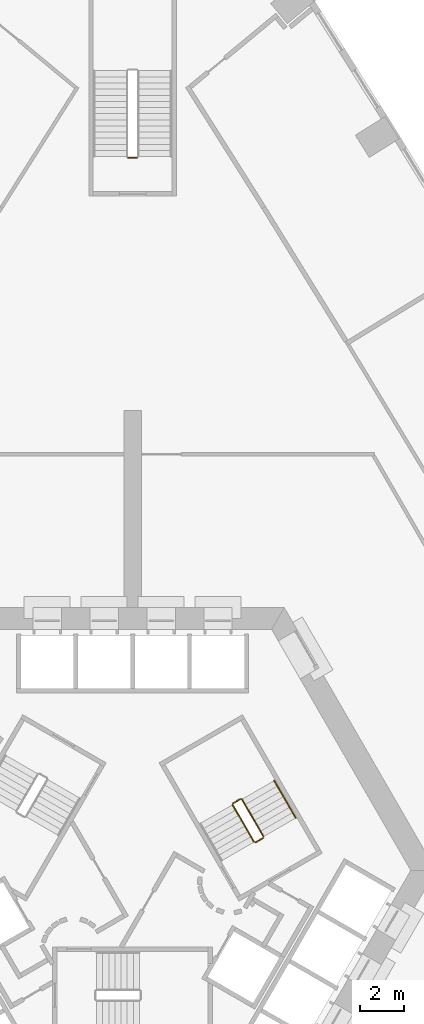
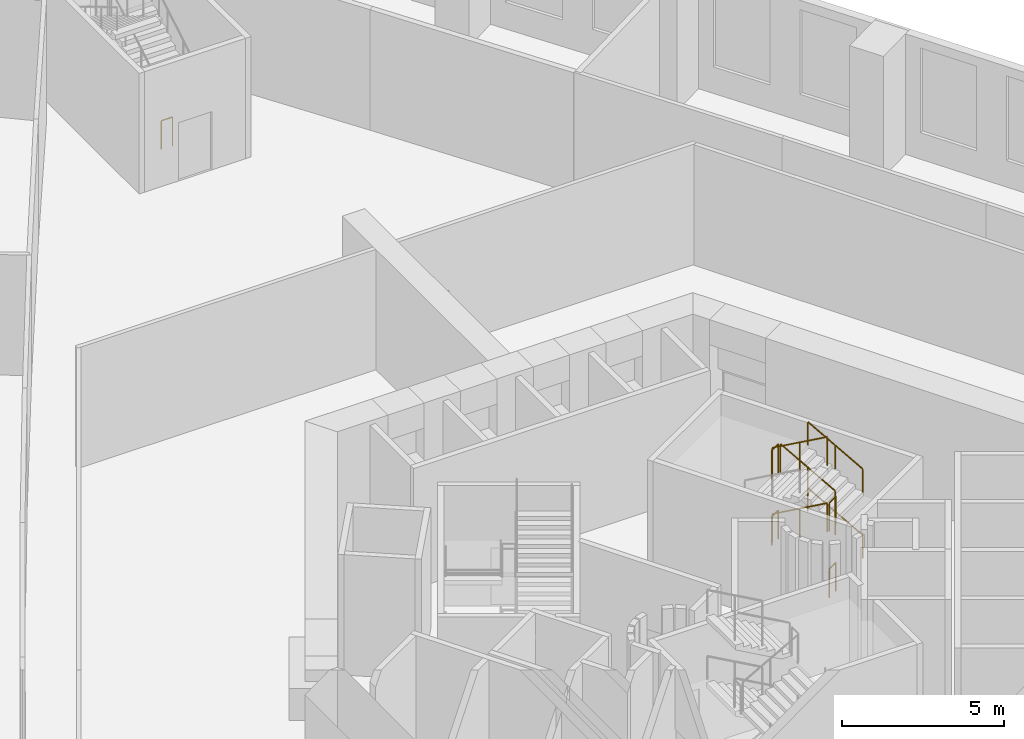
# One storey, part 14 of 16: 10 railings.
"""IFC4 building model written with IfcOpenShell, lengths in metres."""

from ifc_helpers import new_model, si_unit, direction, frame, origin, origin_2d, place, context, subcontext, project, spatial, circle, extrude, material, type_object, element, save


model = new_model("IFC4")

# Units and contexts
model_context = context("Model", 3, precision=1e-05, world=origin(), true_north=direction((0.0, 1.0)))
body_context = subcontext(model_context, "Body", "Model", "MODEL_VIEW")
ifc_project = project(units=[si_unit("LENGTHUNIT", "METRE"), si_unit("AREAUNIT", "SQUARE_METRE"), si_unit("VOLUMEUNIT", "CUBIC_METRE"), si_unit("PLANEANGLEUNIT", "RADIAN"), si_unit("MASSUNIT", "GRAM", prefix="KILO")], contexts=[model_context])

# Site, building, storey
site_placement = place(None, origin())
site = spatial("IfcSite", under=ifc_project, at=site_placement, CompositionType="ELEMENT")
building_placement = place(site_placement, origin())
building = spatial("IfcBuilding", under=site, at=building_placement, Name="Entoto Arch Interchange Tower", CompositionType="ELEMENT")
storey_placement = place(building_placement, frame((0.0, 0.0, 20.0)))
storey = spatial("IfcBuildingStorey", under=building, at=storey_placement, Name="L03", CompositionType="ELEMENT", Elevation=20.0)

# Railings
ifc_material = material(Name="Stainless steel 1.4301", Category="steel")
railing_type_1 = type_object("IfcRailingType", Name="STAIR GUARD 1100 STEEL", PredefinedType="GUARDRAIL", material=ifc_material)
railing_1_placement = place(storey_placement, frame((4.929443359375, 5.76171875, 1.25)))
element("IfcRailing", 1, at=railing_1_placement, inside=storey, type_object=railing_type_1, Name="L03 ST-NE stair guard 2", PredefinedType="GUARDRAIL", context=body_context, shape_type="SweptSolid", body=[
    extrude(circle(Radius=0.02392578125, at=origin_2d()), frame((0.0, 0.0, 1.076171875), z_axis=(-0.865941482684, -0.500145327446, 0.0), x_axis=(0.500145327446, -0.865941482684, 0.0)), (0.0, 0.0, 1.0), 0.39990234375),
    extrude(circle(Radius=0.02099609375, at=origin_2d()), origin(), (0.0, 0.0, 1.0), 1.052001953125),
    extrude(circle(Radius=0.02099609375, at=origin_2d()), frame((-0.34619140625, -0.199951171875, 0.0)), (0.0, 0.0, 1.0), 1.052001953125),
])
railing_2_placement = place(storey_placement, frame((4.56494140625, 5.493408203125, 1.40625)))
element("IfcRailing", 2, at=railing_2_placement, inside=storey, type_object=railing_type_1, Name="L03 ST-NE stair guard 3", PredefinedType="GUARDRAIL", context=body_context, shape_type="SweptSolid", body=[
    extrude(circle(Radius=0.02392578125, at=origin_2d()), frame((0.0, 0.0, 1.076171875), z_axis=(0.436632306331, -0.756220177781, 0.487322554151), x_axis=(0.866011328839, 0.500024377727, 0.0)), (0.0, 0.0, 1.0), 2.244384765625),
    extrude(circle(Radius=0.02099609375, at=origin_2d()), origin(), (0.0, 0.0, 1.0), 1.052001953125),
    extrude(circle(Radius=0.02099609375, at=origin_2d()), frame((0.489990234375, -0.8486328125, 0.546875)), (0.0, 0.0, 1.0), 1.052001953125),
    extrude(circle(Radius=0.02099609375, at=origin_2d()), frame((0.97998046875, -1.697265625, 1.09375)), (0.0, 0.0, 1.0), 1.052001953125),
])
railing_3_placement = place(storey_placement, frame((5.95947265625, 3.977783203125, 2.5)))
element("IfcRailing", 3, at=railing_3_placement, inside=storey, type_object=railing_type_1, Name="L03 ST-NE stair guard 4", PredefinedType="GUARDRAIL", context=body_context, shape_type="SweptSolid", body=[
    extrude(circle(Radius=0.02392578125, at=origin_2d()), frame((0.0, 0.0, 1.076171875), z_axis=(-0.866094119867, -0.499880961361, 0.0), x_axis=(0.499880961361, -0.866094119867, 0.0)), (0.0, 0.0, 1.0), 0.39990234375),
    extrude(circle(Radius=0.02099609375, at=origin_2d()), origin(), (0.0, 0.0, 1.0), 1.052001953125),
    extrude(circle(Radius=0.02099609375, at=origin_2d()), frame((-0.346435546875, -0.199951171875, 0.0)), (0.0, 0.0, 1.0), 1.052001953125),
])
railing_4_placement = place(storey_placement, frame((5.977783203125, 4.046142578125, 2.65625)))
element("IfcRailing", 4, at=railing_4_placement, inside=storey, type_object=railing_type_1, Name="L03 ST-NE stair guard 5", PredefinedType="GUARDRAIL", context=body_context, shape_type="SweptSolid", body=[
    extrude(circle(Radius=0.02392578125, at=origin_2d()), frame((0.0, 0.0, 1.076171875), z_axis=(-0.436632306331, 0.756220177781, 0.487322554151), x_axis=(-0.866011328839, -0.500024377727, 0.0)), (0.0, 0.0, 1.0), 2.244384765625),
    extrude(circle(Radius=0.02099609375, at=origin_2d()), origin(), (0.0, 0.0, 1.0), 1.052001953125),
    extrude(circle(Radius=0.02099609375, at=origin_2d()), frame((-0.489990234375, 0.8486328125, 0.546875)), (0.0, 0.0, 1.0), 1.052001953125),
    extrude(circle(Radius=0.02099609375, at=origin_2d()), frame((-0.97998046875, 1.697265625, 1.09375)), (0.0, 0.0, 1.0), 1.052001953125),
])
railing_5_placement = place(storey_placement, frame((4.929443359375, 5.76171875, 3.75)))
element("IfcRailing", 5, at=railing_5_placement, inside=storey, type_object=railing_type_1, Name="L03 ST-NE stair guard 6", PredefinedType="GUARDRAIL", context=body_context, shape_type="SweptSolid", body=[
    extrude(circle(Radius=0.02392578125, at=origin_2d()), frame((0.0, 0.0, 1.076171875), z_axis=(-0.865941482684, -0.500145327446, 0.0), x_axis=(0.500145327446, -0.865941482684, 0.0)), (0.0, 0.0, 1.0), 0.39990234375),
    extrude(circle(Radius=0.02099609375, at=origin_2d()), origin(), (0.0, 0.0, 1.0), 1.052001953125),
    extrude(circle(Radius=0.02099609375, at=origin_2d()), frame((-0.34619140625, -0.199951171875, 0.0)), (0.0, 0.0, 1.0), 1.052001953125),
])
railing_6_placement = place(storey_placement, frame((4.56494140625, 5.493408203125, 3.90625)))
element("IfcRailing", 6, at=railing_6_placement, inside=storey, type_object=railing_type_1, Name="L03 ST-NE stair guard 7", PredefinedType="GUARDRAIL", context=body_context, shape_type="SweptSolid", body=[
    extrude(circle(Radius=0.02392578125, at=origin_2d()), frame((0.0, 0.0, 1.076171875), z_axis=(0.436632306331, -0.756220177781, 0.487322554151), x_axis=(0.866011328839, 0.500024377727, 0.0)), (0.0, 0.0, 1.0), 2.244384765625),
    extrude(circle(Radius=0.02099609375, at=origin_2d()), origin(), (0.0, 0.0, 1.0), 1.052001953125),
    extrude(circle(Radius=0.02099609375, at=origin_2d()), frame((0.489990234375, -0.8486328125, 0.546875)), (0.0, 0.0, 1.0), 1.052001953125),
    extrude(circle(Radius=0.02099609375, at=origin_2d()), frame((0.97998046875, -1.697265625, 1.09375)), (0.0, 0.0, 1.0), 1.052001953125),
])
railing_7_placement = place(storey_placement, frame((5.95947265625, 3.977783203125, 0.0)))
element("IfcRailing", 7, at=railing_7_placement, inside=storey, type_object=railing_type_1, Name="L03 ST-NE stair guard 8", PredefinedType="GUARDRAIL", context=body_context, shape_type="SweptSolid", body=[
    extrude(circle(Radius=0.02392578125, at=origin_2d()), frame((0.0, 0.0, 1.076171875), z_axis=(-0.866094119867, -0.499880961361, 0.0), x_axis=(0.499880961361, -0.866094119867, 0.0)), (0.0, 0.0, 1.0), 0.39990234375),
    extrude(circle(Radius=0.02099609375, at=origin_2d()), origin(), (0.0, 0.0, 1.0), 1.052001953125),
    extrude(circle(Radius=0.02099609375, at=origin_2d()), frame((-0.346435546875, -0.199951171875, 0.0)), (0.0, 0.0, 1.0), 1.052001953125),
])
railing_8_placement = place(storey_placement, frame((0.199951171875, 35.050048828125, 0.0)))
element("IfcRailing", 8, at=railing_8_placement, inside=storey, type_object=railing_type_1, Name="L03 PST-N stair guard 4", PredefinedType="GUARDRAIL", context=body_context, shape_type="SweptSolid", body=[
    extrude(circle(Radius=0.02392578125, at=origin_2d()), frame((0.0, 0.0, 1.076171875), z_axis=(-1.0, 0.0, 0.0), x_axis=(0.0, -1.0, 0.0)), (0.0, 0.0, 1.0), 0.39990234375),
    extrude(circle(Radius=0.02099609375, at=origin_2d()), origin(), (0.0, 0.0, 1.0), 1.052001953125),
    extrude(circle(Radius=0.02099609375, at=origin_2d()), frame((-0.39990234375, 0.0, 0.0)), (0.0, 0.0, 1.0), 1.052001953125),
])
railing_type_2 = type_object("IfcRailingType", Name="STAIR HANDRAIL 900 STEEL", PredefinedType="HANDRAIL", material=ifc_material)
for number, where, name in (
    (9, (7.4501953125, 4.89599609375, 0.15625), "L03 ST-NE stair handrail 1"),
    (10, (7.4501953125, 4.89599609375, 2.65625), "L03 ST-NE stair handrail 3"),
):
    element("IfcRailing", number, at=place(storey_placement, frame(where)), inside=storey, type_object=railing_type_2, Name=name, PredefinedType="HANDRAIL", context=body_context, shape_type="SweptSolid", body=[
        extrude(circle(Radius=0.02392578125, at=origin_2d()), frame((0.0, 0.0, 0.8759765625), z_axis=(-0.436596390967, 0.756266742998, 0.487282469241), x_axis=(-0.866042469362, -0.499970440388, 0.0)), (0.0, 0.0, 1.0), 2.24462890625),
        extrude(circle(Radius=0.02099609375, at=origin_2d()), origin(), (0.0, 0.0, 1.0), 0.851806640625),
        extrude(circle(Radius=0.02099609375, at=origin_2d()), frame((-0.489990234375, 0.8486328125, 0.546875)), (0.0, 0.0, 1.0), 0.851806640625),
        extrude(circle(Radius=0.02099609375, at=origin_2d()), frame((-0.97998046875, 1.697509765625, 1.09375)), (0.0, 0.0, 1.0), 0.851806640625),
    ])

save(model, "model.ifc")
